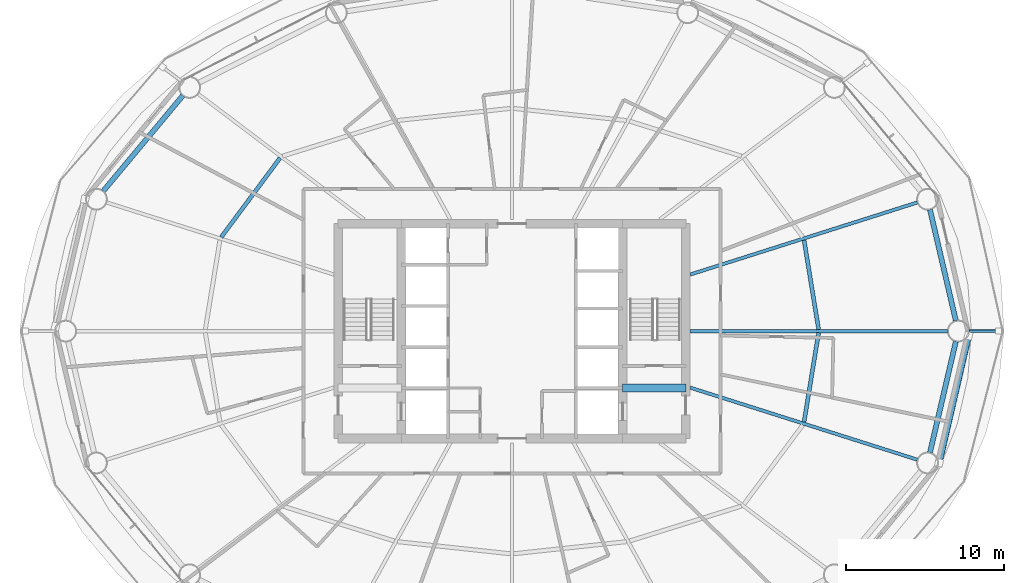
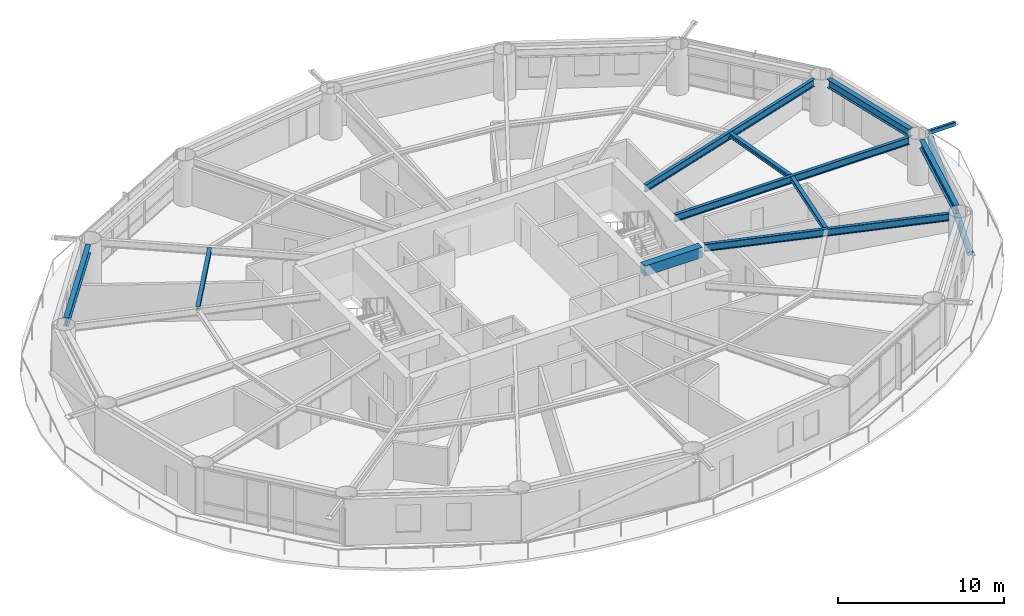
# One storey, part 7 of 24: 10 beams, 2 members.
"""IFC4 building model written with IfcOpenShell, lengths in metres."""

from ifc_helpers import new_model, si_unit, direction, frame, origin, origin_2d, place, context, subcontext, project, spatial, rectangle, hollow_rectangle, hollow_circle, i_section, extrude, material, material_profile, profile_set, type_object, element, save


model = new_model("IFC4")

# Units and contexts
model_context = context("Model", 3, precision=1e-05, world=origin(), true_north=direction((0.0, 1.0)))
body_context = subcontext(model_context, "Body", "Model", "MODEL_VIEW")
ifc_project = project(units=[si_unit("LENGTHUNIT", "METRE"), si_unit("AREAUNIT", "SQUARE_METRE"), si_unit("VOLUMEUNIT", "CUBIC_METRE"), si_unit("PLANEANGLEUNIT", "RADIAN"), si_unit("MASSUNIT", "GRAM", prefix="KILO")], contexts=[model_context])

# Site, building, storey
site_placement = place(None, origin())
site = spatial("IfcSite", under=ifc_project, at=site_placement, CompositionType="ELEMENT")
building_placement = place(site_placement, origin())
building = spatial("IfcBuilding", under=site, at=building_placement, Name="Sarneth Arch Tower", CompositionType="ELEMENT")
storey_placement = place(building_placement, frame((0.0, 0.0, 127.199951171875)))
storey = spatial("IfcBuildingStorey", under=building, at=storey_placement, Name="L32", CompositionType="ELEMENT", Elevation=127.199951171875)

# Beams
ifc_material_1 = material(Name="Steel S355", Category="steel")
ifc_material_profile_1 = material_profile(ifc_material_1, i_section(OverallWidth=0.25390625, OverallDepth=0.305908203125, WebThickness=0.0087890625, FlangeThickness=0.0146484375, FilletRadius=0.014892578125, at=origin_2d()), Name="W310x79")
ifc_profile_set_1 = profile_set([ifc_material_profile_1], Name="Steel S355")
beam_type_1 = type_object("IfcBeamType", Name="BM-JOIST-310A", PredefinedType="JOIST", material=ifc_profile_set_1)
beam_1_placement = place(storey_placement, frame((67.4013671875, 42.10400390625, 3.22705078125), z_axis=(-0.16120310833, 0.986921252109, 0.0), x_axis=(-0.986921252109, -0.16120310833, 0.0)))
element("IfcBeam", 1, at=beam_1_placement, inside=storey, type_object=beam_type_1, Name="L32 Secondary floor joist 01", PredefinedType="JOIST", context=body_context, shape_type="SweptSolid", body=[
    extrude(i_section(OverallWidth=0.25390625, OverallDepth=0.305908203125, WebThickness=0.0087890625, FlangeThickness=0.0146484375, FilletRadius=0.014892578125, at=origin_2d()), origin(), (0.0, 0.0, 1.0), 5.724853515625),
])
beam_2_placement = place(storey_placement, frame((33.32666015625, 52.956787109375, 3.22705078125), z_axis=(-0.596354224217, -0.80272139579, 0.0), x_axis=(0.80272139579, -0.596354224217, 0.0)))
element("IfcBeam", 2, at=beam_2_placement, inside=storey, type_object=beam_type_1, Name="L32 Secondary floor joist 07", PredefinedType="JOIST", context=body_context, shape_type="SweptSolid", body=[
    extrude(i_section(OverallWidth=0.25390625, OverallDepth=0.305908203125, WebThickness=0.0087890625, FlangeThickness=0.0146484375, FilletRadius=0.014892578125, at=origin_2d()), origin(), (0.0, 0.0, 1.0), 6.246337890625),
])
beam_3_placement = place(storey_placement, frame((66.478515625, 36.24609375, 3.22705078125), z_axis=(0.16120310833, 0.986921252109, 0.0), x_axis=(-0.986921252109, 0.16120310833, 0.0)))
element("IfcBeam", 3, at=beam_3_placement, inside=storey, type_object=beam_type_1, Name="L32 Secondary floor joist 16", PredefinedType="JOIST", context=body_context, shape_type="SweptSolid", body=[
    extrude(i_section(OverallWidth=0.25390625, OverallDepth=0.305908203125, WebThickness=0.0087890625, FlangeThickness=0.0146484375, FilletRadius=0.014892578125, at=origin_2d()), origin(), (0.0, 0.0, 1.0), 5.724853515625),
])
ifc_material_2 = material(Name="Concrete C50/60", Category="concrete")
ifc_material_profile_2 = material_profile(ifc_material_2, rectangle(XDim=0.5, YDim=0.75, at=origin_2d()), Name="RC-500x750")
ifc_profile_set_2 = profile_set([ifc_material_profile_2], Name="Concrete C50/60")
beam_type_2 = type_object("IfcBeamType", Name="BM-LINTEL-RC", PredefinedType="LINTEL", material=ifc_profile_set_2)
beam_4_placement = place(storey_placement, frame((55.0, 38.39990234375, 3.005126953125), z_axis=(1.0, 0.0, 0.0), x_axis=(0.0, 1.0, 0.0)))
element("IfcBeam", 4, at=beam_4_placement, inside=storey, type_object=beam_type_2, Name="L32 Core coupling lintel E", PredefinedType="LINTEL", context=body_context, shape_type="SweptSolid", body=[
    extrude(rectangle(XDim=0.5, YDim=0.75, at=origin_2d()), origin(), (0.0, 0.0, 1.0), 4.0),
])
ifc_material_3 = material(Name="Steel S355", Category="steel")
ifc_material_profile_3 = material_profile(ifc_material_3, i_section(OverallWidth=0.2109375, OverallDepth=0.5390625, WebThickness=0.01171875, FlangeThickness=0.018798828125, FilletRadius=0.01806640625, at=origin_2d()), Name="W530x109")
ifc_profile_set_3 = profile_set([ifc_material_profile_3], Name="Steel S355")
beam_type_3 = type_object("IfcBeamType", Name="BM-RAD-530B", PredefinedType="BEAM", material=ifc_profile_set_3)
beam_5_placement = place(storey_placement, frame((59.27490234375, 42.0, 3.110595703125), z_axis=(1.0, 0.0, 0.0), x_axis=(0.0, 1.0, 0.0)))
element("IfcBeam", 5, at=beam_5_placement, inside=storey, type_object=beam_type_3, Name="L32 Radial floor girder 01", PredefinedType="BEAM", context=body_context, shape_type="SweptSolid", body=[
    extrude(i_section(OverallWidth=0.2109375, OverallDepth=0.5390625, WebThickness=0.01171875, FlangeThickness=0.018798828125, FilletRadius=0.01806640625, at=origin_2d()), origin(), (0.0, 0.0, 1.0), 16.28662109375),
])
for number, where, z_axis, x_axis, name in (
    (6, (59.27490234375, 45.57763671875, 3.110595703125), (0.95316257761, 0.302458427958, 0.0), (-0.302458427958, 0.95316257761, 0.0), "L32 Radial floor girder 02"),
    (7, (59.27490234375, 38.42236328125, 3.110595703125), (0.95316257761, -0.302458427958, 0.0), (0.302458427958, 0.95316257761, 0.0), "L32 Radial floor girder 16"),
):
    element("IfcBeam", number, at=place(storey_placement, frame(where, z_axis=z_axis, x_axis=x_axis)), inside=storey, type_object=beam_type_3, Name=name, PredefinedType="BEAM", context=body_context, shape_type="SweptSolid", body=[
        extrude(i_section(OverallWidth=0.2109375, OverallDepth=0.5390625, WebThickness=0.01171875, FlangeThickness=0.018798828125, FilletRadius=0.01806640625, at=origin_2d()), origin(), (0.0, 0.0, 1.0), 15.0791015625),
    ])
ifc_material_4 = material(Name="Steel S355", Category="steel")
ifc_material_profile_4 = material_profile(ifc_material_4, i_section(OverallWidth=0.323974609375, OverallDepth=0.611083984375, WebThickness=0.0126953125, FlangeThickness=0.01904296875, FilletRadius=0.01904296875, at=origin_2d()), Name="W610x155")
ifc_profile_set_4 = profile_set([ifc_material_profile_4], Name="Steel S355")
beam_type_4 = type_object("IfcBeamType", Name="BM-SPAN-610B", PredefinedType="SPANDREL", material=ifc_profile_set_4)
beam_6_placement = place(storey_placement, frame((76.083251953125, 42.657470703125, 3.074462890625), z_axis=(-0.22708522689, 0.973874889156, 0.0), x_axis=(-0.973874889156, -0.22708522689, 0.0)))
element("IfcBeam", 8, at=beam_6_placement, inside=storey, type_object=beam_type_4, Name="L32 Perimeter spandrel beam 01", PredefinedType="SPANDREL", context=body_context, shape_type="SweptSolid", body=[
    extrude(i_section(OverallWidth=0.323974609375, OverallDepth=0.611083984375, WebThickness=0.0126953125, FlangeThickness=0.01904296875, FilletRadius=0.01904296875, at=origin_2d()), origin(), (0.0, 0.0, 1.0), 7.216064453125),
])
beam_7_placement = place(storey_placement, frame((27.170166015625, 56.896484375, 3.074462890625), z_axis=(-0.640169116175, -0.768234015581, 0.0), x_axis=(0.768234015581, -0.640169116175, 0.0)))
element("IfcBeam", 9, at=beam_7_placement, inside=storey, type_object=beam_type_4, Name="L32 Perimeter spandrel beam 07", PredefinedType="SPANDREL", context=body_context, shape_type="SweptSolid", body=[
    extrude(i_section(OverallWidth=0.323974609375, OverallDepth=0.611083984375, WebThickness=0.0126953125, FlangeThickness=0.01904296875, FilletRadius=0.01904296875, at=origin_2d()), origin(), (0.0, 0.0, 1.0), 7.856201171875),
])
beam_8_placement = place(storey_placement, frame((74.444580078125, 34.31494140625, 3.074462890625), z_axis=(0.22708522689, 0.973874889156, 0.0), x_axis=(-0.973874889156, 0.22708522689, 0.0)))
element("IfcBeam", 10, at=beam_8_placement, inside=storey, type_object=beam_type_4, Name="L32 Perimeter spandrel beam 16", PredefinedType="SPANDREL", context=body_context, shape_type="SweptSolid", body=[
    extrude(i_section(OverallWidth=0.323974609375, OverallDepth=0.611083984375, WebThickness=0.0126953125, FlangeThickness=0.01904296875, FilletRadius=0.01904296875, at=origin_2d()), origin(), (0.0, 0.0, 1.0), 7.216064453125),
])

# Members
ifc_material_5 = material(Name="Steel S355", Category="steel")
ifc_material_profile_5 = material_profile(ifc_material_5, hollow_rectangle(XDim=0.199951171875, YDim=0.300048828125, WallThickness=0.012451171875, InnerFilletRadius=0.018798828125, OuterFilletRadius=0.03125, at=origin_2d()), Name="RHS300x200x12.5")
ifc_profile_set_5 = profile_set([ifc_material_profile_5], Name="Steel S355")
member_type_1 = type_object("IfcMemberType", Name="MEM-CANT-STRUT", PredefinedType="STRUT", material=ifc_profile_set_5)
member_1_placement = place(storey_placement, frame((76.91162109375, 42.0, 3.219970703125), z_axis=(1.0, 0.0, 0.0), x_axis=(0.0, 1.0, 0.0)))
element("IfcMember", 11, at=member_1_placement, inside=storey, type_object=member_type_1, Name="L32 Balcony cantilever bracket 01", PredefinedType="STRUT", context=body_context, shape_type="SweptSolid", body=[
    extrude(hollow_rectangle(XDim=0.199951171875, YDim=0.300048828125, WallThickness=0.012451171875, InnerFilletRadius=0.018798828125, OuterFilletRadius=0.03125, at=origin_2d()), origin(), (0.0, 0.0, 1.0), 1.853759765625),
])
ifc_material_6 = material(Name="Steel S355", Category="steel")
ifc_material_profile_6 = material_profile(ifc_material_6, hollow_circle(Radius=0.202880859375, WallThickness=0.01611328125, at=origin_2d()), Name="CHS406x16")
ifc_profile_set_6 = profile_set([ifc_material_profile_6], Name="Steel S355")
member_type_2 = type_object("IfcMemberType", Name="MEM-DIAG-BR2", PredefinedType="BRACE", material=ifc_profile_set_6)
member_2_placement = place(storey_placement, frame((75.01953125, 33.67041015625, 0.02001953125), z_axis=(0.21184573702, 0.915846816603, 0.341095283204), x_axis=(-0.974275349464, 0.225360918143, 0.0)))
element("IfcMember", 12, at=member_2_placement, inside=storey, type_object=member_type_2, Name="L32 Perimeter frame diagonal 16", PredefinedType="BRACE", context=body_context, shape_type="SweptSolid", body=[
    extrude(hollow_circle(Radius=0.202880859375, WallThickness=0.01611328125, at=origin_2d()), origin(), (0.0, 0.0, 1.0), 8.77587890625),
])

save(model, "model.ifc")
